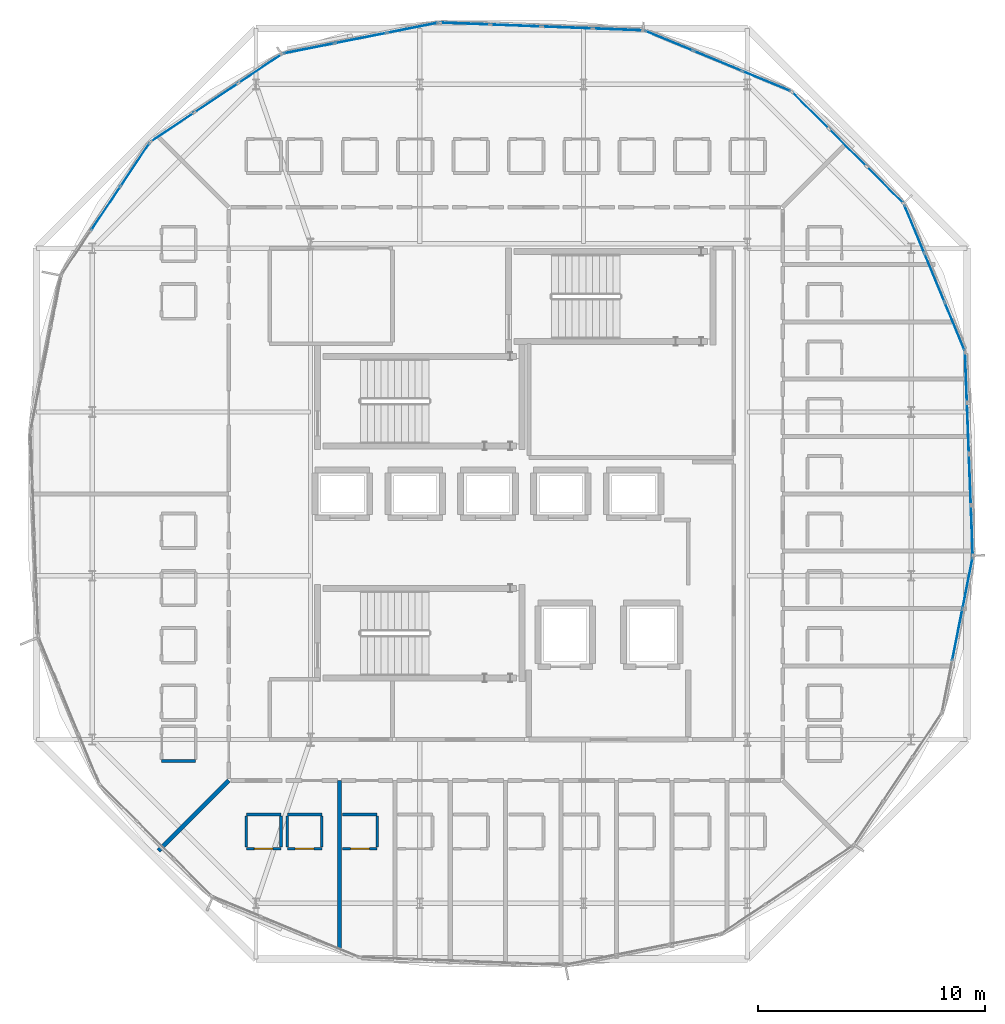
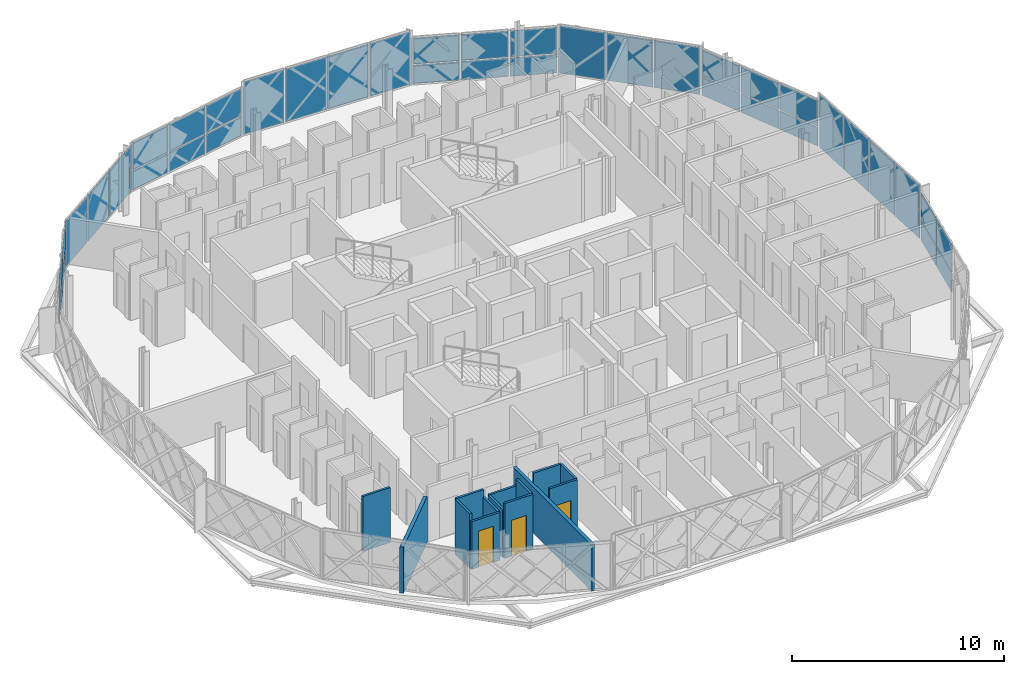
# One storey, part 12 of 24: 40 plates, 14 walls, 3 doors, 3 openings, 9 elements without a shape of their own.
"""IFC4 building model written with IfcOpenShell, lengths in metres."""

from ifc_helpers import new_model, si_unit, direction, frame, frame_2d, origin, origin_2d, place, context, subcontext, project, spatial, rectangle, extrude, material, layer, layer_set, type_object, element, fill, aggregate, save


model = new_model("IFC4")

# Units and contexts
model_context = context("Model", 3, precision=1e-05, world=origin(), true_north=direction((0.0, 1.0)))
body_context = subcontext(model_context, "Body", "Model", "MODEL_VIEW")
ifc_project = project(units=[si_unit("LENGTHUNIT", "METRE"), si_unit("AREAUNIT", "SQUARE_METRE"), si_unit("VOLUMEUNIT", "CUBIC_METRE"), si_unit("PLANEANGLEUNIT", "RADIAN"), si_unit("MASSUNIT", "GRAM", prefix="KILO")], contexts=[model_context])

# Site, building, storey
site_placement = place(None, origin())
site = spatial("IfcSite", under=ifc_project, at=site_placement, CompositionType="ELEMENT")
building_placement = place(site_placement, origin())
building = spatial("IfcBuilding", under=site, at=building_placement, Name="Zevrakil Square Congress Hotel", CompositionType="ELEMENT")
storey_placement = place(building_placement, frame((0.0, 0.0, 31.699951171875)))
storey = spatial("IfcBuildingStorey", under=building, at=storey_placement, Name="L09", CompositionType="ELEMENT", Elevation=31.699951171875)

# Curtain wall, plates
ifc_material_1 = material(Name="Aluminium Anodised Bronze", Category="aluminium")
ifc_layer_1 = layer(ifc_material_1, 0.179931640625)
ifc_layer_set_1 = layer_set([ifc_layer_1], Name="Aluminium Anodised Bronze")
curtain_wall_type_1 = type_object("IfcCurtainWallType", Name="CW-L09-720", PredefinedType="USERDEFINED", material=ifc_layer_set_1)
curtain_wall_1_placement = place(storey_placement, origin())
curtain_wall_1 = element("IfcCurtainWall", 1, at=curtain_wall_1_placement, inside=storey, type_object=curtain_wall_type_1, Name="L09 diamond curtain wall CW-L09-0256", ObjectType="GLAZED CURTAIN WALL", PredefinedType="USERDEFINED")
ifc_material_2 = material(Name="Low-E Solar Control Double Glazing", Category="glass")
ifc_layer_2 = layer(ifc_material_2, 0.028076171875)
ifc_layer_set_2 = layer_set([ifc_layer_2], Name="Low-E Solar Control Double Glazing")
plate_type_1 = type_object("IfcPlateType", Name="CWP-GLAZ-28", PredefinedType="CURTAIN_PANEL", material=ifc_layer_set_2)
plate_1_placement = place(storey_placement, frame((165.231689453125, 21.404541015625, 1.229248046875), z_axis=(0.0, 0.0, 1.0), x_axis=(0.195083900459, 0.980786557708, 0.0)))
plate_1 = element("IfcPlate", 2, at=plate_1_placement, type_object=plate_type_1, Name="CW-106 panel 2.2", PredefinedType="CURTAIN_PANEL", context=body_context, shape_type="SweptSolid", body=[
    extrude(rectangle(XDim=2.275146484375, YDim=0.028076171875, at=origin_2d()), origin(), (0.0, 0.0, 1.0), 1.56591796875),
])
plate_2_placement = place(storey_placement, frame((165.684326171875, 23.68017578125, 1.229248046875), z_axis=(0.0, 0.0, 1.0), x_axis=(0.195083900459, 0.980786557708, 0.0)))
plate_2 = element("IfcPlate", 3, at=plate_2_placement, type_object=plate_type_1, Name="CW-106 panel 3.2", PredefinedType="CURTAIN_PANEL", context=body_context, shape_type="SweptSolid", body=[
    extrude(rectangle(XDim=2.2451171875, YDim=0.028076171875, at=origin_2d()), origin(), (0.0, 0.0, 1.0), 1.56591796875),
])

# Curtain wall, plate
ifc_material_3 = material(Name="Aluminium Anodised Bronze", Category="aluminium")
ifc_layer_3 = layer(ifc_material_3, 0.179931640625)
ifc_layer_set_3 = layer_set([ifc_layer_3], Name="Aluminium Anodised Bronze")
curtain_wall_type_2 = type_object("IfcCurtainWallType", Name="CW-L09-900", PredefinedType="USERDEFINED", material=ifc_layer_set_3)
curtain_wall_2_placement = place(storey_placement, origin())
curtain_wall_2 = element("IfcCurtainWall", 4, at=curtain_wall_2_placement, inside=storey, type_object=curtain_wall_type_2, Name="L09 diamond curtain wall CW-L09-0257", ObjectType="GLAZED CURTAIN WALL", PredefinedType="USERDEFINED")
plate_3_placement = place(storey_placement, frame((165.699462890625, 30.479248046875, 0.06005859375), z_axis=(0.0, 0.0, 1.0), x_axis=(-0.03820854684, 0.999269786869, 0.0)))
plate_3 = element("IfcPlate", 5, at=plate_3_placement, type_object=plate_type_1, Name="CW-108 panel 3.1", PredefinedType="CURTAIN_PANEL", context=body_context, shape_type="SweptSolid", body=[
    extrude(rectangle(XDim=2.197265625, YDim=0.028076171875, at=origin_2d()), origin(), (0.0, 0.0, 1.0), 3.050048828125),
])

# Curtain wall, plates
curtain_wall_3_placement = place(storey_placement, origin())
curtain_wall_3 = element("IfcCurtainWall", 6, at=curtain_wall_3_placement, inside=storey, type_object=curtain_wall_type_1, Name="L09 diamond curtain wall CW-L09-0258", ObjectType="GLAZED CURTAIN WALL", PredefinedType="USERDEFINED")
plate_4_placement = place(storey_placement, frame((165.117431640625, 34.955322265625, 1.187255859375), z_axis=(0.0, 0.0, 1.0), x_axis=(-0.382683763454, 0.92387939537, 0.0)))
plate_4 = element("IfcPlate", 7, at=plate_4_placement, type_object=plate_type_1, Name="CW-106 panel 1.2", PredefinedType="CURTAIN_PANEL", context=body_context, shape_type="SweptSolid", body=[
    extrude(rectangle(XDim=2.245361328125, YDim=0.028076171875, at=origin_2d()), origin(), (0.0, 0.0, 1.0), 1.5078125),
])
plate_5_placement = place(storey_placement, frame((164.2294921875, 37.09912109375, 1.187255859375), z_axis=(0.0, 0.0, 1.0), x_axis=(-0.382683763454, 0.92387939537, 0.0)))
plate_5 = element("IfcPlate", 8, at=plate_5_placement, type_object=plate_type_1, Name="CW-106 panel 2.2", PredefinedType="CURTAIN_PANEL", context=body_context, shape_type="SweptSolid", body=[
    extrude(rectangle(XDim=2.275146484375, YDim=0.028076171875, at=origin_2d()), origin(), (0.0, 0.0, 1.0), 1.5078125),
])

curtain_wall_4_placement = place(storey_placement, origin())
curtain_wall_4 = element("IfcCurtainWall", 9, at=curtain_wall_4_placement, inside=storey, type_object=curtain_wall_type_1, Name="L09 diamond curtain wall CW-L09-0259", ObjectType="GLAZED CURTAIN WALL", PredefinedType="USERDEFINED")
plate_6_placement = place(storey_placement, frame((162.052734375, 41.171630859375, 0.06005859375), z_axis=(0.0, 0.0, 1.0), x_axis=(-0.707106781187, 0.707106781187, 0.0)))
plate_6 = element("IfcPlate", 10, at=plate_6_placement, type_object=plate_type_1, Name="CW-106 panel 1.1", PredefinedType="CURTAIN_PANEL", context=body_context, shape_type="SweptSolid", body=[
    extrude(rectangle(XDim=2.2451171875, YDim=0.028076171875, at=origin_2d()), origin(), (0.0, 0.0, 1.0), 2.735107421875),
])
plate_7_placement = place(storey_placement, frame((158.771484375, 44.452880859375, 0.06005859375), z_axis=(0.0, 0.0, 1.0), x_axis=(-0.707106781187, 0.707106781187, 0.0)))
plate_7 = element("IfcPlate", 11, at=plate_7_placement, type_object=plate_type_1, Name="CW-106 panel 3.1", PredefinedType="CURTAIN_PANEL", context=body_context, shape_type="SweptSolid", body=[
    extrude(rectangle(XDim=2.2451171875, YDim=0.028076171875, at=origin_2d()), origin(), (0.0, 0.0, 1.0), 2.735107421875),
])

curtain_wall_5_placement = place(storey_placement, origin())
curtain_wall_5 = element("IfcCurtainWall", 12, at=curtain_wall_5_placement, inside=storey, type_object=curtain_wall_type_1, Name="L09 diamond curtain wall CW-L09-0260", ObjectType="GLAZED CURTAIN WALL", PredefinedType="USERDEFINED")
plate_8_placement = place(storey_placement, frame((156.8427734375, 45.741455078125, 1.187255859375), z_axis=(0.0, 0.0, 1.0), x_axis=(-0.92387939537, 0.382683763454, 0.0)))
plate_8 = element("IfcPlate", 13, at=plate_8_placement, type_object=plate_type_1, Name="CW-106 panel 1.2", PredefinedType="CURTAIN_PANEL", context=body_context, shape_type="SweptSolid", body=[
    extrude(rectangle(XDim=2.245361328125, YDim=0.028076171875, at=origin_2d()), origin(), (0.0, 0.0, 1.0), 1.5078125),
])
plate_9_placement = place(storey_placement, frame((152.555419921875, 47.517333984375, 0.06005859375), z_axis=(0.0, 0.0, 1.0), x_axis=(-0.92387939537, 0.382683763454, 0.0)))
plate_9 = element("IfcPlate", 14, at=plate_9_placement, type_object=plate_type_1, Name="CW-106 panel 3.1", PredefinedType="CURTAIN_PANEL", context=body_context, shape_type="SweptSolid", body=[
    extrude(rectangle(XDim=2.245361328125, YDim=0.028076171875, at=origin_2d()), origin(), (0.0, 0.0, 1.0), 1.067138671875),
])

curtain_wall_6_placement = place(storey_placement, origin())
curtain_wall_6 = element("IfcCurtainWall", 15, at=curtain_wall_6_placement, inside=storey, type_object=curtain_wall_type_2, Name="L09 diamond curtain wall CW-L09-0261", ObjectType="GLAZED CURTAIN WALL", PredefinedType="USERDEFINED")
plate_10_placement = place(storey_placement, frame((150.320068359375, 48.013671875, 0.06005859375), z_axis=(0.0, 0.0, 1.0), x_axis=(-0.999269786869, 0.03820854684, 0.0)))
plate_10 = element("IfcPlate", 16, at=plate_10_placement, type_object=plate_type_1, Name="CW-108 panel 1.1", PredefinedType="CURTAIN_PANEL", context=body_context, shape_type="SweptSolid", body=[
    extrude(rectangle(XDim=2.167236328125, YDim=0.028076171875, at=origin_2d()), origin(), (0.0, 0.0, 1.0), 3.050048828125),
])
plate_11_placement = place(storey_placement, frame((143.582763671875, 48.271240234375, 0.06005859375), z_axis=(0.0, 0.0, 1.0), x_axis=(-0.999269786869, 0.03820854684, 0.0)))
plate_11 = element("IfcPlate", 17, at=plate_11_placement, type_object=plate_type_1, Name="CW-108 panel 4.1", PredefinedType="CURTAIN_PANEL", context=body_context, shape_type="SweptSolid", body=[
    extrude(rectangle(XDim=2.167236328125, YDim=0.028076171875, at=origin_2d()), origin(), (0.0, 0.0, 1.0), 3.050048828125),
])

curtain_wall_7_placement = place(storey_placement, origin())
curtain_wall_7 = element("IfcCurtainWall", 18, at=curtain_wall_7_placement, inside=storey, type_object=curtain_wall_type_1, Name="L09 diamond curtain wall CW-L09-0262", ObjectType="GLAZED CURTAIN WALL", PredefinedType="USERDEFINED")
plate_12_placement = place(storey_placement, frame((139.00439453125, 47.631591796875, 0.06005859375), z_axis=(0.0, 0.0, 1.0), x_axis=(-0.980786557708, -0.195083900459, 0.0)))
plate_12 = element("IfcPlate", 19, at=plate_12_placement, type_object=plate_type_1, Name="CW-106 panel 2.1", PredefinedType="CURTAIN_PANEL", context=body_context, shape_type="SweptSolid", body=[
    extrude(rectangle(XDim=2.275146484375, YDim=0.028076171875, at=origin_2d()), origin(), (0.0, 0.0, 1.0), 1.109130859375),
])
plate_13_placement = place(storey_placement, frame((136.728759765625, 47.178955078125, 0.06005859375), z_axis=(0.0, 0.0, 1.0), x_axis=(-0.980786557708, -0.195083900459, 0.0)))
plate_13 = element("IfcPlate", 20, at=plate_13_placement, type_object=plate_type_1, Name="CW-106 panel 3.1", PredefinedType="CURTAIN_PANEL", context=body_context, shape_type="SweptSolid", body=[
    extrude(rectangle(XDim=2.2451171875, YDim=0.028076171875, at=origin_2d()), origin(), (0.0, 0.0, 1.0), 1.109130859375),
])

# Curtain wall, plate
curtain_wall_8_placement = place(storey_placement, origin())
curtain_wall_8 = element("IfcCurtainWall", 21, at=curtain_wall_8_placement, inside=storey, type_object=curtain_wall_type_1, Name="L09 diamond curtain wall CW-L09-0263", ObjectType="GLAZED CURTAIN WALL", PredefinedType="USERDEFINED")
plate_14_placement = place(storey_placement, frame((132.656494140625, 45.002197265625, 0.06005859375), z_axis=(0.0, 0.0, 1.0), x_axis=(-0.831465693332, -0.555576098128, 0.0)))
plate_14 = element("IfcPlate", 22, at=plate_14_placement, type_object=plate_type_1, Name="CW-106 panel 2.1", PredefinedType="CURTAIN_PANEL", context=body_context, shape_type="SweptSolid", body=[
    extrude(rectangle(XDim=2.275146484375, YDim=0.028076171875, at=origin_2d()), origin(), (0.0, 0.0, 1.0), 2.635009765625),
])

# Curtain wall, plates
curtain_wall_9_placement = place(storey_placement, origin())
curtain_wall_9 = element("IfcCurtainWall", 23, at=curtain_wall_9_placement, inside=storey, type_object=curtain_wall_type_1, Name="L09 diamond curtain wall CW-L09-0264", ObjectType="GLAZED CURTAIN WALL", PredefinedType="USERDEFINED")
plate_15_placement = place(storey_placement, frame((129.0869140625, 42.07275390625, 0.06005859375), z_axis=(0.0, 0.0, 1.0), x_axis=(-0.555576098128, -0.831465693332, 0.0)))
plate_15 = element("IfcPlate", 24, at=plate_15_placement, type_object=plate_type_1, Name="CW-106 panel 1.1", PredefinedType="CURTAIN_PANEL", context=body_context, shape_type="SweptSolid", body=[
    extrude(rectangle(XDim=2.2451171875, YDim=0.028076171875, at=origin_2d()), origin(), (0.0, 0.0, 1.0), 1.067138671875),
])
plate_16_placement = place(storey_placement, frame((127.7978515625, 40.1435546875, 0.06005859375), z_axis=(0.0, 0.0, 1.0), x_axis=(-0.555576098128, -0.831465693332, 0.0)))
plate_16 = element("IfcPlate", 25, at=plate_16_placement, type_object=plate_type_1, Name="CW-106 panel 2.1", PredefinedType="CURTAIN_PANEL", context=body_context, shape_type="SweptSolid", body=[
    extrude(rectangle(XDim=2.275146484375, YDim=0.028076171875, at=origin_2d()), origin(), (0.0, 0.0, 1.0), 1.067138671875),
])

# Plate
ifc_material_4 = material(Name="Basalt Grey Ribbed GRC Panel", Category="masonry")
ifc_layer_4 = layer(ifc_material_4, 0.0439453125)
ifc_layer_set_4 = layer_set([ifc_layer_4], Name="Basalt Grey Ribbed GRC Panel")
plate_type_2 = type_object("IfcPlateType", Name="CWP-GRCG-44", PredefinedType="CURTAIN_PANEL", material=ifc_layer_set_4)
plate_17_placement = place(storey_placement, frame((165.231689453125, 21.404541015625, 0.06005859375), z_axis=(0.0, 0.0, 1.0), x_axis=(0.195083900459, 0.980786557708, 0.0)))
plate_17 = element("IfcPlate", 26, at=plate_17_placement, type_object=plate_type_2, Name="CW-106 panel 2.1", PredefinedType="CURTAIN_PANEL", context=body_context, shape_type="SweptSolid", body=[
    extrude(rectangle(XDim=2.275146484375, YDim=0.028076171875, at=origin_2d()), origin(), (0.0, 0.0, 1.0), 1.109130859375),
])

plate_18_placement = place(storey_placement, frame((165.78564453125, 28.2236328125, 0.06005859375), z_axis=(0.0, 0.0, 1.0), x_axis=(-0.03820854684, 0.999269786869, 0.0)))
plate_18 = element("IfcPlate", 27, at=plate_18_placement, type_object=plate_type_2, Name="CW-108 panel 2.1", PredefinedType="CURTAIN_PANEL", context=body_context, shape_type="SweptSolid", body=[
    extrude(rectangle(XDim=2.197265625, YDim=0.028076171875, at=origin_2d()), origin(), (0.0, 0.0, 1.0), 3.050048828125),
])

plate_19_placement = place(storey_placement, frame((165.117431640625, 34.955322265625, 0.06005859375), z_axis=(0.0, 0.0, 1.0), x_axis=(-0.382683763454, 0.92387939537, 0.0)))
plate_19 = element("IfcPlate", 28, at=plate_19_placement, type_object=plate_type_2, Name="CW-106 panel 1.1", PredefinedType="CURTAIN_PANEL", context=body_context, shape_type="SweptSolid", body=[
    extrude(rectangle(XDim=2.245361328125, YDim=0.028076171875, at=origin_2d()), origin(), (0.0, 0.0, 1.0), 1.067138671875),
])

plate_20_placement = place(storey_placement, frame((163.341552734375, 39.24267578125, 1.187255859375), z_axis=(0.0, 0.0, 1.0), x_axis=(-0.382683763454, 0.92387939537, 0.0)))
plate_20 = element("IfcPlate", 29, at=plate_20_placement, type_object=plate_type_2, Name="CW-106 panel 3.2", PredefinedType="CURTAIN_PANEL", context=body_context, shape_type="SweptSolid", body=[
    extrude(rectangle(XDim=2.245361328125, YDim=0.028076171875, at=origin_2d()), origin(), (0.0, 0.0, 1.0), 1.5078125),
])

plate_21_placement = place(storey_placement, frame((154.698974609375, 46.62939453125, 1.187255859375), z_axis=(0.0, 0.0, 1.0), x_axis=(-0.92387939537, 0.382683763454, 0.0)))
plate_21 = element("IfcPlate", 30, at=plate_21_placement, type_object=plate_type_2, Name="CW-106 panel 2.2", PredefinedType="CURTAIN_PANEL", context=body_context, shape_type="SweptSolid", body=[
    extrude(rectangle(XDim=2.275146484375, YDim=0.028076171875, at=origin_2d()), origin(), (0.0, 0.0, 1.0), 1.5078125),
])

plate_22_placement = place(storey_placement, frame((145.823486328125, 48.185546875, 0.06005859375), z_axis=(0.0, 0.0, 1.0), x_axis=(-0.999269786869, 0.03820854684, 0.0)))
plate_22 = element("IfcPlate", 31, at=plate_22_placement, type_object=plate_type_2, Name="CW-108 panel 3.1", PredefinedType="CURTAIN_PANEL", context=body_context, shape_type="SweptSolid", body=[
    extrude(rectangle(XDim=2.197265625, YDim=0.028076171875, at=origin_2d()), origin(), (0.0, 0.0, 1.0), 3.050048828125),
])

plate_23_placement = place(storey_placement, frame((141.280029296875, 48.084228515625, 1.229248046875), z_axis=(0.0, 0.0, 1.0), x_axis=(-0.980786557708, -0.195083900459, 0.0)))
plate_23 = element("IfcPlate", 32, at=plate_23_placement, type_object=plate_type_2, Name="CW-106 panel 1.2", PredefinedType="CURTAIN_PANEL", context=body_context, shape_type="SweptSolid", body=[
    extrude(rectangle(XDim=2.2451171875, YDim=0.028076171875, at=origin_2d()), origin(), (0.0, 0.0, 1.0), 1.56591796875),
])

plate_24_placement = place(storey_placement, frame((134.585693359375, 46.291259765625, 0.06005859375), z_axis=(0.0, 0.0, 1.0), x_axis=(-0.831465693332, -0.555576098128, 0.0)))
plate_24 = element("IfcPlate", 33, at=plate_24_placement, type_object=plate_type_2, Name="CW-106 panel 1.1", PredefinedType="CURTAIN_PANEL", context=body_context, shape_type="SweptSolid", body=[
    extrude(rectangle(XDim=2.2451171875, YDim=0.028076171875, at=origin_2d()), origin(), (0.0, 0.0, 1.0), 2.635009765625),
])

ifc_material_5 = material(Name="White Ribbed Highland GRC Panel", Category="concrete")
ifc_layer_5 = layer(ifc_material_5, 0.0400390625)
ifc_layer_set_5 = layer_set([ifc_layer_5], Name="White Ribbed Highland GRC Panel")
plate_type_3 = type_object("IfcPlateType", Name="CWP-GRCW-40", PredefinedType="CURTAIN_PANEL", material=ifc_layer_set_5)
plate_25_placement = place(storey_placement, frame((165.684326171875, 23.68017578125, 0.06005859375), z_axis=(0.0, 0.0, 1.0), x_axis=(0.195083900459, 0.980786557708, 0.0)))
plate_25 = element("IfcPlate", 34, at=plate_25_placement, type_object=plate_type_3, Name="CW-106 panel 3.1", PredefinedType="CURTAIN_PANEL", context=body_context, shape_type="SweptSolid", body=[
    extrude(rectangle(XDim=2.2451171875, YDim=0.028076171875, at=origin_2d()), origin(), (0.0, 0.0, 1.0), 1.109130859375),
])

aggregate(curtain_wall_1, [plate_17, plate_1, plate_25, plate_2])

plate_26_placement = place(storey_placement, frame((165.871337890625, 25.98291015625, 0.06005859375), z_axis=(0.0, 0.0, 1.0), x_axis=(-0.03820854684, 0.999269786869, 0.0)))
plate_26 = element("IfcPlate", 35, at=plate_26_placement, type_object=plate_type_3, Name="CW-108 panel 1.1", PredefinedType="CURTAIN_PANEL", context=body_context, shape_type="SweptSolid", body=[
    extrude(rectangle(XDim=2.167236328125, YDim=0.028076171875, at=origin_2d()), origin(), (0.0, 0.0, 1.0), 3.050048828125),
])

plate_27_placement = place(storey_placement, frame((165.61376953125, 32.719970703125, 0.06005859375), z_axis=(0.0, 0.0, 1.0), x_axis=(-0.03820854684, 0.999269786869, 0.0)))
plate_27 = element("IfcPlate", 36, at=plate_27_placement, type_object=plate_type_3, Name="CW-108 panel 4.1", PredefinedType="CURTAIN_PANEL", context=body_context, shape_type="SweptSolid", body=[
    extrude(rectangle(XDim=2.167236328125, YDim=0.028076171875, at=origin_2d()), origin(), (0.0, 0.0, 1.0), 3.050048828125),
])

aggregate(curtain_wall_2, [plate_26, plate_18, plate_3, plate_27])

plate_28_placement = place(storey_placement, frame((164.2294921875, 37.09912109375, 0.06005859375), z_axis=(0.0, 0.0, 1.0), x_axis=(-0.382683763454, 0.92387939537, 0.0)))
plate_28 = element("IfcPlate", 37, at=plate_28_placement, type_object=plate_type_3, Name="CW-106 panel 2.1", PredefinedType="CURTAIN_PANEL", context=body_context, shape_type="SweptSolid", body=[
    extrude(rectangle(XDim=2.275146484375, YDim=0.028076171875, at=origin_2d()), origin(), (0.0, 0.0, 1.0), 1.067138671875),
])

plate_29_placement = place(storey_placement, frame((163.341552734375, 39.24267578125, 0.06005859375), z_axis=(0.0, 0.0, 1.0), x_axis=(-0.382683763454, 0.92387939537, 0.0)))
plate_29 = element("IfcPlate", 38, at=plate_29_placement, type_object=plate_type_3, Name="CW-106 panel 3.1", PredefinedType="CURTAIN_PANEL", context=body_context, shape_type="SweptSolid", body=[
    extrude(rectangle(XDim=2.245361328125, YDim=0.028076171875, at=origin_2d()), origin(), (0.0, 0.0, 1.0), 1.067138671875),
])

aggregate(curtain_wall_3, [plate_19, plate_4, plate_28, plate_5, plate_29, plate_20])

plate_30_placement = place(storey_placement, frame((160.412109375, 42.812255859375, 0.06005859375), z_axis=(0.0, 0.0, 1.0), x_axis=(-0.707106781187, 0.707106781187, 0.0)))
plate_30 = element("IfcPlate", 39, at=plate_30_placement, type_object=plate_type_3, Name="CW-106 panel 2.1", PredefinedType="CURTAIN_PANEL", context=body_context, shape_type="SweptSolid", body=[
    extrude(rectangle(XDim=2.275146484375, YDim=0.028076171875, at=origin_2d()), origin(), (0.0, 0.0, 1.0), 2.735107421875),
])

aggregate(curtain_wall_4, [plate_6, plate_30, plate_7])

plate_31_placement = place(storey_placement, frame((156.8427734375, 45.741455078125, 0.06005859375), z_axis=(0.0, 0.0, 1.0), x_axis=(-0.92387939537, 0.382683763454, 0.0)))
plate_31 = element("IfcPlate", 40, at=plate_31_placement, type_object=plate_type_3, Name="CW-106 panel 1.1", PredefinedType="CURTAIN_PANEL", context=body_context, shape_type="SweptSolid", body=[
    extrude(rectangle(XDim=2.245361328125, YDim=0.028076171875, at=origin_2d()), origin(), (0.0, 0.0, 1.0), 1.067138671875),
])

plate_32_placement = place(storey_placement, frame((154.698974609375, 46.62939453125, 0.06005859375), z_axis=(0.0, 0.0, 1.0), x_axis=(-0.92387939537, 0.382683763454, 0.0)))
plate_32 = element("IfcPlate", 41, at=plate_32_placement, type_object=plate_type_3, Name="CW-106 panel 2.1", PredefinedType="CURTAIN_PANEL", context=body_context, shape_type="SweptSolid", body=[
    extrude(rectangle(XDim=2.275146484375, YDim=0.028076171875, at=origin_2d()), origin(), (0.0, 0.0, 1.0), 1.067138671875),
])

plate_33_placement = place(storey_placement, frame((152.555419921875, 47.517333984375, 1.187255859375), z_axis=(0.0, 0.0, 1.0), x_axis=(-0.92387939537, 0.382683763454, 0.0)))
plate_33 = element("IfcPlate", 42, at=plate_33_placement, type_object=plate_type_3, Name="CW-106 panel 3.2", PredefinedType="CURTAIN_PANEL", context=body_context, shape_type="SweptSolid", body=[
    extrude(rectangle(XDim=2.245361328125, YDim=0.028076171875, at=origin_2d()), origin(), (0.0, 0.0, 1.0), 1.5078125),
])

aggregate(curtain_wall_5, [plate_31, plate_8, plate_32, plate_21, plate_9, plate_33])

plate_34_placement = place(storey_placement, frame((148.079345703125, 48.099365234375, 0.06005859375), z_axis=(0.0, 0.0, 1.0), x_axis=(-0.999269786869, 0.03820854684, 0.0)))
plate_34 = element("IfcPlate", 43, at=plate_34_placement, type_object=plate_type_3, Name="CW-108 panel 2.1", PredefinedType="CURTAIN_PANEL", context=body_context, shape_type="SweptSolid", body=[
    extrude(rectangle(XDim=2.197265625, YDim=0.028076171875, at=origin_2d()), origin(), (0.0, 0.0, 1.0), 3.050048828125),
])

aggregate(curtain_wall_6, [plate_10, plate_34, plate_22, plate_11])

plate_35_placement = place(storey_placement, frame((141.280029296875, 48.084228515625, 0.06005859375), z_axis=(0.0, 0.0, 1.0), x_axis=(-0.980786557708, -0.195083900459, 0.0)))
plate_35 = element("IfcPlate", 44, at=plate_35_placement, type_object=plate_type_3, Name="CW-106 panel 1.1", PredefinedType="CURTAIN_PANEL", context=body_context, shape_type="SweptSolid", body=[
    extrude(rectangle(XDim=2.2451171875, YDim=0.028076171875, at=origin_2d()), origin(), (0.0, 0.0, 1.0), 1.109130859375),
])

plate_36_placement = place(storey_placement, frame((139.00439453125, 47.631591796875, 1.229248046875), z_axis=(0.0, 0.0, 1.0), x_axis=(-0.980786557708, -0.195083900459, 0.0)))
plate_36 = element("IfcPlate", 45, at=plate_36_placement, type_object=plate_type_3, Name="CW-106 panel 2.2", PredefinedType="CURTAIN_PANEL", context=body_context, shape_type="SweptSolid", body=[
    extrude(rectangle(XDim=2.275146484375, YDim=0.028076171875, at=origin_2d()), origin(), (0.0, 0.0, 1.0), 1.56591796875),
])

plate_37_placement = place(storey_placement, frame((136.728759765625, 47.178955078125, 1.229248046875), z_axis=(0.0, 0.0, 1.0), x_axis=(-0.980786557708, -0.195083900459, 0.0)))
plate_37 = element("IfcPlate", 46, at=plate_37_placement, type_object=plate_type_3, Name="CW-106 panel 3.2", PredefinedType="CURTAIN_PANEL", context=body_context, shape_type="SweptSolid", body=[
    extrude(rectangle(XDim=2.2451171875, YDim=0.028076171875, at=origin_2d()), origin(), (0.0, 0.0, 1.0), 1.56591796875),
])

aggregate(curtain_wall_7, [plate_35, plate_23, plate_12, plate_36, plate_13, plate_37])

plate_38_placement = place(storey_placement, frame((130.727294921875, 43.713134765625, 0.06005859375), z_axis=(0.0, 0.0, 1.0), x_axis=(-0.831465693332, -0.555576098128, 0.0)))
plate_38 = element("IfcPlate", 47, at=plate_38_placement, type_object=plate_type_3, Name="CW-106 panel 3.1", PredefinedType="CURTAIN_PANEL", context=body_context, shape_type="SweptSolid", body=[
    extrude(rectangle(XDim=2.2451171875, YDim=0.028076171875, at=origin_2d()), origin(), (0.0, 0.0, 1.0), 2.635009765625),
])

aggregate(curtain_wall_8, [plate_24, plate_14, plate_38])

plate_39_placement = place(storey_placement, frame((129.0869140625, 42.07275390625, 1.187255859375), z_axis=(0.0, 0.0, 1.0), x_axis=(-0.555576098128, -0.831465693332, 0.0)))
plate_39 = element("IfcPlate", 48, at=plate_39_placement, type_object=plate_type_3, Name="CW-106 panel 1.2", PredefinedType="CURTAIN_PANEL", context=body_context, shape_type="SweptSolid", body=[
    extrude(rectangle(XDim=2.2451171875, YDim=0.028076171875, at=origin_2d()), origin(), (0.0, 0.0, 1.0), 1.5078125),
])

plate_40_placement = place(storey_placement, frame((127.7978515625, 40.1435546875, 1.187255859375), z_axis=(0.0, 0.0, 1.0), x_axis=(-0.555576098128, -0.831465693332, 0.0)))
plate_40 = element("IfcPlate", 49, at=plate_40_placement, type_object=plate_type_3, Name="CW-106 panel 2.2", PredefinedType="CURTAIN_PANEL", context=body_context, shape_type="SweptSolid", body=[
    extrude(rectangle(XDim=2.275146484375, YDim=0.028076171875, at=origin_2d()), origin(), (0.0, 0.0, 1.0), 1.5078125),
])

aggregate(curtain_wall_9, [plate_15, plate_39, plate_16, plate_40])

# Wall, opening, door
ifc_material_6 = material(Name="Moisture-Resistant Gypsum Partition")
ifc_layer_6 = layer(ifc_material_6, 0.1201171875)
ifc_layer_set_6 = layer_set([ifc_layer_6], Name="Moisture-Resistant Gypsum Partition")
wall_type_1 = type_object("IfcWallType", Name="WAL-ENS-120", PredefinedType="PARTITIONING", material=ifc_layer_set_6)
wall_1_placement = place(storey_placement, frame((133.97509765625, 12.0, 0.0), z_axis=(0.0, 0.0, 1.0), x_axis=(1.0, 0.0, 0.0)))
wall_1 = element("IfcWall", 50, at=wall_1_placement, inside=storey, type_object=wall_type_1, Name="L09 interior partition PW-L09-1371", PredefinedType="PARTITIONING", context=body_context, shape_type="SweptSolid", body=[
    extrude(rectangle(XDim=1.52001953125, YDim=0.1201171875, at=frame_2d((0.760009765625, 0.0))), origin(), (0.0, 0.0, 1.0), 2.755126953125),
])
opening_1_placement = place(wall_1_placement, frame((0.35009765625, 0.0, 0.0)))
opening_1 = element("IfcOpeningElement", 51, at=opening_1_placement, cuts=wall_1, Name="Opening ID-11", PredefinedType="OPENING", context=body_context, shape_type="SweptSolid", body=[
    extrude(rectangle(XDim=0.820068359375, YDim=2.080078125, at=frame_2d((0.41015625, 1.0400390625))), frame((0.0, 0.070068359375, 0.0), z_axis=(0.0, -1.0, 0.0), x_axis=(1.0, 0.0, 0.0)), (0.0, 0.0, 1.0), 0.14013671875),
])
ifc_material_7 = material(Name="Acoustic Timber Door", Category="wood")
door_type = type_object("IfcDoorType", Name="DOR-INT-V01", OperationType="NOTDEFINED", PredefinedType="DOOR", material=ifc_material_7)
door_1_placement = place(opening_1_placement, origin())
door_1 = element("IfcDoor", 52, at=door_1_placement, inside=storey, type_object=door_type, Name="L09 interior door 535", OperationType="SINGLE_SWING_LEFT", OverallHeight=2.080078125, OverallWidth=0.820068359375, PredefinedType="DOOR", context=body_context, shape_type="SweptSolid", body=[
    extrude(rectangle(XDim=0.820068359375, YDim=2.080078125, at=frame_2d((0.41015625, 1.0400390625))), frame((0.0, 0.02490234375, 0.0), z_axis=(0.0, -1.0, 0.0), x_axis=(1.0, 0.0, 0.0)), (0.0, 0.0, 1.0), 0.050048828125),
])
fill(opening_1, door_1)

# Walls
wall_2_placement = place(storey_placement, frame((133.97509765625, 13.5, 0.0), z_axis=(0.0, 0.0, 1.0), x_axis=(1.0, 0.0, 0.0)))
element("IfcWall", 53, at=wall_2_placement, inside=storey, type_object=wall_type_1, Name="L09 interior partition PW-L09-1372", PredefinedType="PARTITIONING", context=body_context, shape_type="SweptSolid", body=[
    extrude(rectangle(XDim=1.52001953125, YDim=0.1201171875, at=frame_2d((0.760009765625, 0.0))), origin(), (0.0, 0.0, 1.0), 3.170166015625),
])
wall_3_placement = place(storey_placement, frame((133.97509765625, 12.06494140625, 0.0), z_axis=(0.0, 0.0, 1.0), x_axis=(0.0, 1.0, 0.0)))
element("IfcWall", 54, at=wall_3_placement, inside=storey, type_object=wall_type_1, Name="L09 interior partition PW-L09-1373", PredefinedType="PARTITIONING", context=body_context, shape_type="SweptSolid", body=[
    extrude(rectangle(XDim=1.3701171875, YDim=0.1201171875, at=frame_2d((0.68505859375, 0.0))), origin(), (0.0, 0.0, 1.0), 3.170166015625),
])
wall_4_placement = place(storey_placement, frame((135.4951171875, 12.06494140625, 0.0), z_axis=(0.0, 0.0, 1.0), x_axis=(0.0, 1.0, 0.0)))
element("IfcWall", 55, at=wall_4_placement, inside=storey, type_object=wall_type_1, Name="L09 interior partition PW-L09-1374", PredefinedType="PARTITIONING", context=body_context, shape_type="SweptSolid", body=[
    extrude(rectangle(XDim=1.3701171875, YDim=0.1201171875, at=frame_2d((0.68505859375, 0.0))), origin(), (0.0, 0.0, 1.0), 2.755126953125),
])

# Wall, opening, door
wall_5_placement = place(storey_placement, frame((135.77490234375, 12.0, 0.0), z_axis=(0.0, 0.0, 1.0), x_axis=(1.0, 0.0, 0.0)))
wall_5 = element("IfcWall", 56, at=wall_5_placement, inside=storey, type_object=wall_type_1, Name="L09 interior partition PW-L09-1377", PredefinedType="PARTITIONING", context=body_context, shape_type="SweptSolid", body=[
    extrude(rectangle(XDim=1.52001953125, YDim=0.1201171875, at=frame_2d((0.760009765625, 0.0))), origin(), (0.0, 0.0, 1.0), 3.170166015625),
])
opening_2_placement = place(wall_5_placement, frame((0.35009765625, 0.0, 0.0)))
opening_2 = element("IfcOpeningElement", 57, at=opening_2_placement, cuts=wall_5, Name="Opening ID-11", PredefinedType="OPENING", context=body_context, shape_type="SweptSolid", body=[
    extrude(rectangle(XDim=0.820068359375, YDim=2.080078125, at=frame_2d((0.41015625, 1.0400390625))), frame((0.0, 0.070068359375, 0.0), z_axis=(0.0, -1.0, 0.0), x_axis=(1.0, 0.0, 0.0)), (0.0, 0.0, 1.0), 0.14013671875),
])
door_2_placement = place(opening_2_placement, origin())
door_2 = element("IfcDoor", 58, at=door_2_placement, inside=storey, type_object=door_type, Name="L09 interior door 537", OperationType="SINGLE_SWING_LEFT", OverallHeight=2.080078125, OverallWidth=0.820068359375, PredefinedType="DOOR", context=body_context, shape_type="SweptSolid", body=[
    extrude(rectangle(XDim=0.820068359375, YDim=2.080078125, at=frame_2d((0.41015625, 1.0400390625))), frame((0.0, 0.02490234375, 0.0), z_axis=(0.0, -1.0, 0.0), x_axis=(1.0, 0.0, 0.0)), (0.0, 0.0, 1.0), 0.050048828125),
])
fill(opening_2, door_2)

# Walls
wall_6_placement = place(storey_placement, frame((135.77490234375, 13.5, 0.0), z_axis=(0.0, 0.0, 1.0), x_axis=(1.0, 0.0, 0.0)))
element("IfcWall", 59, at=wall_6_placement, inside=storey, type_object=wall_type_1, Name="L09 interior partition PW-L09-1378", PredefinedType="PARTITIONING", context=body_context, shape_type="SweptSolid", body=[
    extrude(rectangle(XDim=1.52001953125, YDim=0.1201171875, at=frame_2d((0.760009765625, 0.0))), origin(), (0.0, 0.0, 1.0), 2.755126953125),
])
wall_7_placement = place(storey_placement, frame((135.77490234375, 12.06494140625, 0.0), z_axis=(0.0, 0.0, 1.0), x_axis=(0.0, 1.0, 0.0)))
element("IfcWall", 60, at=wall_7_placement, inside=storey, type_object=wall_type_1, Name="L09 interior partition PW-L09-1379", PredefinedType="PARTITIONING", context=body_context, shape_type="SweptSolid", body=[
    extrude(rectangle(XDim=1.3701171875, YDim=0.1201171875, at=frame_2d((0.68505859375, 0.0))), origin(), (0.0, 0.0, 1.0), 2.755126953125),
])
wall_8_placement = place(storey_placement, frame((137.294921875, 12.06494140625, 0.0), z_axis=(0.0, 0.0, 1.0), x_axis=(0.0, 1.0, 0.0)))
element("IfcWall", 61, at=wall_8_placement, inside=storey, type_object=wall_type_1, Name="L09 interior partition PW-L09-1380", PredefinedType="PARTITIONING", context=body_context, shape_type="SweptSolid", body=[
    extrude(rectangle(XDim=1.3701171875, YDim=0.1201171875, at=frame_2d((0.68505859375, 0.0))), origin(), (0.0, 0.0, 1.0), 3.170166015625),
])

# Wall, opening, door
wall_9_placement = place(storey_placement, frame((138.2099609375, 12.0, 0.0), z_axis=(0.0, 0.0, 1.0), x_axis=(1.0, 0.0, 0.0)))
wall_9 = element("IfcWall", 62, at=wall_9_placement, inside=storey, type_object=wall_type_1, Name="L09 interior partition PW-L09-1383", PredefinedType="PARTITIONING", context=body_context, shape_type="SweptSolid", body=[
    extrude(rectangle(XDim=1.52001953125, YDim=0.1201171875, at=frame_2d((0.760009765625, 0.0))), origin(), (0.0, 0.0, 1.0), 3.170166015625),
])
opening_3_placement = place(wall_9_placement, frame((0.35009765625, 0.0, 0.0)))
opening_3 = element("IfcOpeningElement", 63, at=opening_3_placement, cuts=wall_9, Name="Opening ID-11", PredefinedType="OPENING", context=body_context, shape_type="SweptSolid", body=[
    extrude(rectangle(XDim=0.820068359375, YDim=2.080078125, at=frame_2d((0.41015625, 1.0400390625))), frame((0.0, 0.070068359375, 0.0), z_axis=(0.0, -1.0, 0.0), x_axis=(1.0, 0.0, 0.0)), (0.0, 0.0, 1.0), 0.14013671875),
])
door_3_placement = place(opening_3_placement, origin())
door_3 = element("IfcDoor", 64, at=door_3_placement, inside=storey, type_object=door_type, Name="L09 interior door 539", OperationType="SINGLE_SWING_LEFT", OverallHeight=2.080078125, OverallWidth=0.820068359375, PredefinedType="DOOR", context=body_context, shape_type="SweptSolid", body=[
    extrude(rectangle(XDim=0.820068359375, YDim=2.080078125, at=frame_2d((0.41015625, 1.0400390625))), frame((0.0, 0.02490234375, 0.0), z_axis=(0.0, -1.0, 0.0), x_axis=(1.0, 0.0, 0.0)), (0.0, 0.0, 1.0), 0.050048828125),
])
fill(opening_3, door_3)

# Walls
wall_10_placement = place(storey_placement, frame((138.2099609375, 13.5, 0.0), z_axis=(0.0, 0.0, 1.0), x_axis=(1.0, 0.0, 0.0)))
element("IfcWall", 65, at=wall_10_placement, inside=storey, type_object=wall_type_1, Name="L09 interior partition PW-L09-1384", PredefinedType="PARTITIONING", context=body_context, shape_type="SweptSolid", body=[
    extrude(rectangle(XDim=1.52001953125, YDim=0.1201171875, at=frame_2d((0.760009765625, 0.0))), origin(), (0.0, 0.0, 1.0), 3.170166015625),
])
wall_11_placement = place(storey_placement, frame((139.72998046875, 12.06494140625, 0.0), z_axis=(0.0, 0.0, 1.0), x_axis=(0.0, 1.0, 0.0)))
element("IfcWall", 66, at=wall_11_placement, inside=storey, type_object=wall_type_1, Name="L09 interior partition PW-L09-1385", PredefinedType="PARTITIONING", context=body_context, shape_type="SweptSolid", body=[
    extrude(rectangle(XDim=1.3701171875, YDim=0.1201171875, at=frame_2d((0.68505859375, 0.0))), origin(), (0.0, 0.0, 1.0), 3.170166015625),
])
wall_12_placement = place(storey_placement, frame((130.25, 15.860107421875, 0.0), z_axis=(0.0, 0.0, 1.0), x_axis=(1.0, 0.0, 0.0)))
element("IfcWall", 67, at=wall_12_placement, inside=storey, type_object=wall_type_1, Name="L09 interior partition PW-L09-1556", PredefinedType="PARTITIONING", context=body_context, shape_type="SweptSolid", body=[
    extrude(rectangle(XDim=1.5, YDim=0.1201171875, at=frame_2d((0.75, 0.0))), origin(), (0.0, 0.0, 1.0), 3.170166015625),
])
ifc_material_8 = material(Name="Gypsum Twin-Stud Party Partition")
ifc_layer_7 = layer(ifc_material_8, 0.179931640625)
ifc_layer_set_7 = layer_set([ifc_layer_7], Name="Gypsum Twin-Stud Party Partition")
wall_type_2 = type_object("IfcWallType", Name="WAL-PARTY-180", PredefinedType="PARTITIONING", material=ifc_layer_set_7)
wall_13_placement = place(storey_placement, frame((133.199951171875, 15.0, 0.0), z_axis=(0.0, 0.0, 1.0), x_axis=(-0.707078790814, -0.707134770451, 0.0)))
element("IfcWall", 68, at=wall_13_placement, inside=storey, type_object=wall_type_2, Name="L09 interior partition PW-L09-1375", PredefinedType="PARTITIONING", context=body_context, shape_type="SweptSolid", body=[
    extrude(rectangle(XDim=4.361328125, YDim=0.179931640625, at=frame_2d((2.1806640625, 0.0))), origin(), (0.0, 0.0, 1.0), 2.655029296875),
])
wall_14_placement = place(storey_placement, frame((138.070068359375, 7.551513671875, 0.0), z_axis=(0.0, 0.0, 1.0), x_axis=(0.0, 1.0, 0.0)))
element("IfcWall", 69, at=wall_14_placement, inside=storey, type_object=wall_type_2, Name="L09 interior partition PW-L09-1381", PredefinedType="PARTITIONING", context=body_context, shape_type="SweptSolid", body=[
    extrude(rectangle(XDim=7.448486328125, YDim=0.179931640625, at=frame_2d((3.72412109375, 0.0))), origin(), (0.0, 0.0, 1.0), 2.655029296875),
])

save(model, "model.ifc")
